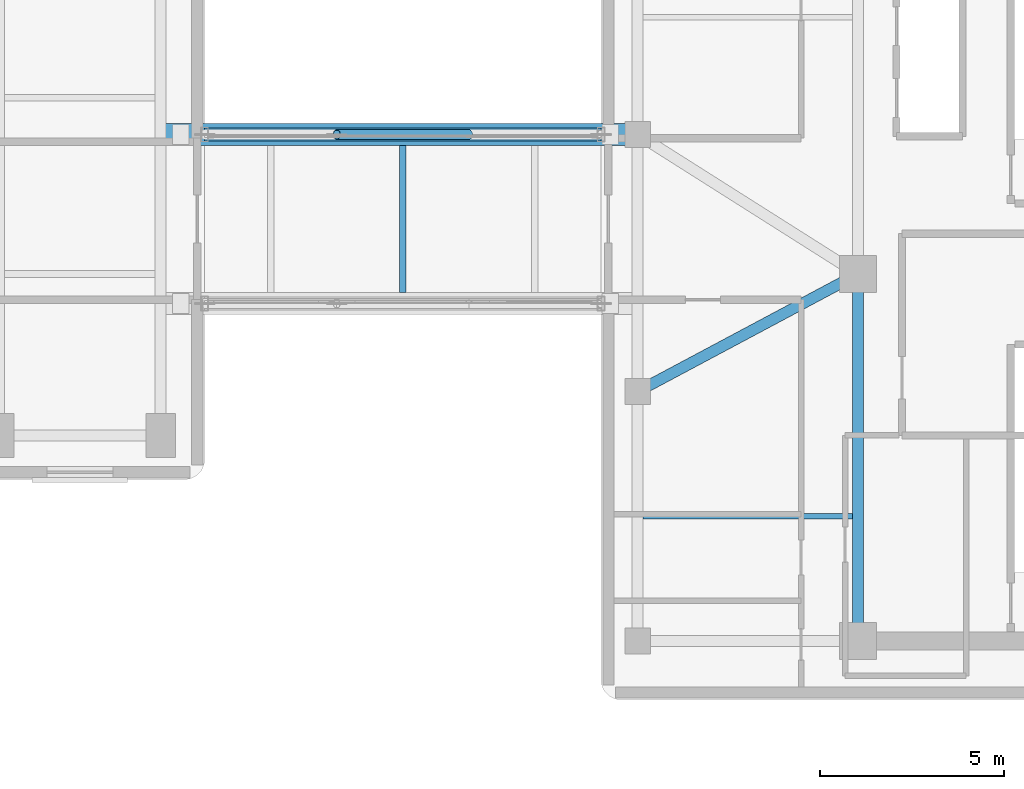
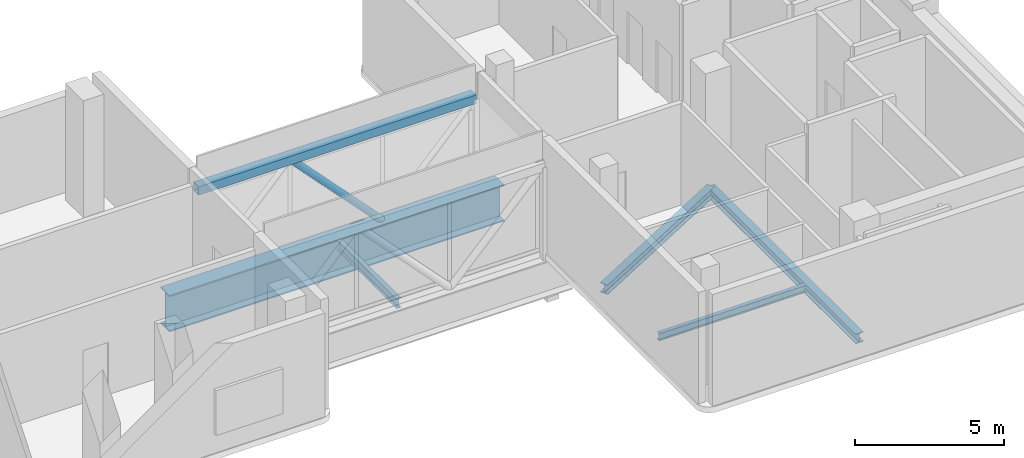
# One storey, part 7 of 17: 5 beams, 2 members.
"""IFC4 building model written with IfcOpenShell, lengths in metres."""

import ifcopenshell
import ifcopenshell.guid

model = None  # the IFC model being written
_history = None  # IfcOwnerHistory: only IFC2X3 demands one
_inside = {}  # id of a spatial element -> (the spatial element, [elements in it])
_under = {}  # id of a project, library or spatial element -> (it, [spatial elements below it])
_declared = {}  # id of a project -> (the project, [libraries it declares])
_typed = {}  # id of a type object -> (the type object, [elements of that type])
_made_of = {}  # id of a material, layer set ... -> (it, [elements and type objects made of it])


def new_model(schema):
    """Start an empty IFC model of exactly this schema.

    Asked for "IFC4X3", IfcOpenShell would pick the latest addendum, in which some entities
    have other attributes; the version numbers below select the first issue.
    IFC2X3 requires an IfcOwnerHistory on every rooted entity: one is made here for all.
    """
    global model, _history
    if schema == "IFC4X3":
        model = ifcopenshell.file(schema_version=(4, 3, 0, 0))
    else:
        model = ifcopenshell.file(schema=schema)
    _inside.clear()
    _under.clear()
    _declared.clear()
    _typed.clear()
    _made_of.clear()
    _history = None
    if model.schema == "IFC2X3":
        org = make("IfcOrganization", Name="unknown")
        user = make(
            "IfcPersonAndOrganization",
            ThePerson=make("IfcPerson", FamilyName="unknown"),
            TheOrganization=org,
        )
        app = make(
            "IfcApplication",
            ApplicationDeveloper=org,
            Version="unknown",
            ApplicationFullName="unknown",
            ApplicationIdentifier="unknown",
        )
        _history = make(
            "IfcOwnerHistory",
            OwningUser=user,
            OwningApplication=app,
            ChangeAction="ADDED",
            CreationDate=0,
        )
    return model


def make(cls, **values):
    """One entity of the class cls with the attributes given. An attribute that is None is left unset."""
    return model.create_entity(
        cls, **{name: value for name, value in values.items() if value is not None}
    )


def rooted(cls, **values):
    """An entity with a GlobalId (a new one), such as an element, a storey or a relation."""
    return make(cls, GlobalId=ifcopenshell.guid.new(), OwnerHistory=_history, **values)


def si_unit(unit_type, name, prefix=None):
    """IfcSIUnit, for example si_unit("LENGTHUNIT", "METRE", prefix="MILLI")."""
    return make("IfcSIUnit", UnitType=unit_type, Prefix=prefix, Name=name)


def assignment(units):
    """IfcUnitAssignment: the units of a project."""
    return None if units is None else make("IfcUnitAssignment", Units=units)


def point(xyz):
    """IfcCartesianPoint."""
    return None if xyz is None else make("IfcCartesianPoint", Coordinates=xyz)


def direction(xyz):
    """IfcDirection."""
    return None if xyz is None else make("IfcDirection", DirectionRatios=xyz)


def frame(location, z_axis=None, x_axis=None):
    """IfcAxis2Placement3D, a coordinate frame: its origin and axes. An axis left out is left unset."""
    return make(
        "IfcAxis2Placement3D",
        Location=point(location),
        Axis=direction(z_axis),
        RefDirection=direction(x_axis),
    )


def frame_2d(location, x_axis=None):
    """IfcAxis2Placement2D, a coordinate frame in the plane: its origin and x axis."""
    return make(
        "IfcAxis2Placement2D", Location=point(location), RefDirection=direction(x_axis)
    )


def origin():
    """The frame at (0, 0, 0) with its axes left unset."""
    return frame((0.0, 0.0, 0.0))


def origin_2d():
    """The frame at (0, 0) in the plane with its x axis left unset."""
    return frame_2d((0.0, 0.0))


def place(relative_to, where):
    """IfcLocalPlacement: puts the frame where relative to a parent placement (None: the world)."""
    return make(
        "IfcLocalPlacement", PlacementRelTo=relative_to, RelativePlacement=where
    )


def context(
    kind, dimensions, precision=None, world=None, true_north=None, identifier=None
):
    """IfcGeometricRepresentationContext, for example the 3D "Model" context."""
    return make(
        "IfcGeometricRepresentationContext",
        ContextIdentifier=identifier,
        ContextType=kind,
        CoordinateSpaceDimension=dimensions,
        Precision=precision,
        WorldCoordinateSystem=world,
        TrueNorth=true_north,
    )


def subcontext(parent, identifier, kind, view, scale=None):
    """IfcGeometricRepresentationSubContext, for example "Body" below "Model"."""
    return make(
        "IfcGeometricRepresentationSubContext",
        ContextIdentifier=identifier,
        ContextType=kind,
        ParentContext=parent,
        TargetScale=scale,
        TargetView=view,
    )


def project(units=None, contexts=None):
    """IfcProject with its units and contexts."""
    return rooted(
        "IfcProject",
        Name="project",
        RepresentationContexts=contexts,
        UnitsInContext=assignment(units),
    )


def spatial(cls, under=None, at=None, **own):
    """A site, building, storey or space (cls), placed at a placement, below another one or the project."""
    s = rooted(cls, ObjectPlacement=at, **own)
    if under is not None:
        _under.setdefault(under.id(), (under, []))[1].append(s)
    return s


def profile(cls, at=None, kind="AREA", **sizes):
    """A parametric profile (cls). Its sizes go by their IFC names, for example OverallWidth=200.0."""
    return make(cls, ProfileType=kind, Position=at, **sizes)


def hollow_rectangle(**sizes):
    """IfcRectangleHollowProfileDef."""
    return profile("IfcRectangleHollowProfileDef", **sizes)


def hollow_circle(**sizes):
    """IfcCircleHollowProfileDef."""
    return profile("IfcCircleHollowProfileDef", **sizes)


def i_section(**sizes):
    """IfcIShapeProfileDef."""
    return profile("IfcIShapeProfileDef", **sizes)


def extrude(swept, where, along, depth):
    """IfcExtrudedAreaSolid: the profile swept, set in the frame where, extruded along a direction by depth."""
    return make(
        "IfcExtrudedAreaSolid",
        SweptArea=swept,
        Position=where,
        ExtrudedDirection=direction(along),
        Depth=depth,
    )


def shape(context_of_items, identifier, shape_type, items):
    """IfcShapeRepresentation: the items that make up one representation, for example the "Body"."""
    return make(
        "IfcShapeRepresentation",
        ContextOfItems=context_of_items,
        RepresentationIdentifier=identifier,
        RepresentationType=shape_type,
        Items=items,
    )


def material(Name=None, Category=None):
    """IfcMaterial."""
    return make("IfcMaterial", Name=Name, Category=Category)


def material_profile(
    of_material, cross_section, Name=None, Category=None, Priority=None
):
    """IfcMaterialProfile: a cross section and its material."""
    return make(
        "IfcMaterialProfile",
        Name=Name,
        Material=of_material,
        Profile=cross_section,
        Priority=Priority,
        Category=Category,
    )


def profile_set(profiles, Name=None, composite=None):
    """IfcMaterialProfileSet."""
    return make(
        "IfcMaterialProfileSet",
        Name=Name,
        MaterialProfiles=profiles,
        CompositeProfile=composite,
    )


def made_of(thing, what):
    """Note that an element or type object is made of a material, layer set ...; save() writes the relation."""
    if what is not None:
        _made_of.setdefault(what.id(), (what, []))[1].append(thing)
    return thing


def type_object(cls, material=None, **own):
    """A type object (cls), such as IfcWallType, which elements share."""
    return made_of(rooted(cls, **own), material)


def element(
    cls,
    number,
    at=None,
    inside=None,
    cuts=None,
    type_object=None,
    material=None,
    context=None,
    identifier="Body",
    shape_type=None,
    held_by="IfcProductDefinitionShape",
    body=None,
    shapes=None,
    **own,
):
    """One element of the class cls, such as IfcWall. Its Tag is "e" and its number.

    at: its placement. inside: the storey or other place that contains it. cuts: it is an
    opening in that element (IfcRelVoidsElement). A single representation is given by context,
    identifier, shape_type and body (its items); several are given by shapes. held_by: the class
    of the entity that holds the representations. save() writes the other relations.
    """
    e = rooted(cls, Tag="e%d" % number, ObjectPlacement=at, **own)
    if body is not None:
        shapes = [shape(context, identifier, shape_type, body)]
    if shapes is not None:
        e.Representation = make(held_by, Representations=shapes)
    if inside is not None:
        _inside.setdefault(inside.id(), (inside, []))[1].append(e)
    if cuts is not None:
        rooted(
            "IfcRelVoidsElement", RelatingBuildingElement=cuts, RelatedOpeningElement=e
        )
    if type_object is not None:
        _typed.setdefault(type_object.id(), (type_object, []))[1].append(e)
    return made_of(e, material)


def aggregate(whole, parts):
    """IfcRelAggregates: a whole, such as a stair, and the parts it consists of."""
    return rooted("IfcRelAggregates", RelatingObject=whole, RelatedObjects=parts)


def save(model, path):
    """Write the relations noted so far, then the file.

    IfcRelAggregates (storeys below a building ...), IfcRelContainedInSpatialStructure (elements
    in a storey), IfcRelDefinesByType, IfcRelAssociatesMaterial and IfcRelDeclares: one each for
    every whole, place, type object, material and project.
    """
    for whole, parts in _under.values():
        aggregate(whole, parts)
    for where, things in _inside.values():
        rooted(
            "IfcRelContainedInSpatialStructure",
            RelatedElements=things,
            RelatingStructure=where,
        )
    for kind, things in _typed.values():
        rooted("IfcRelDefinesByType", RelatedObjects=things, RelatingType=kind)
    for what, things in _made_of.values():
        rooted("IfcRelAssociatesMaterial", RelatedObjects=things, RelatingMaterial=what)
    for by, libraries in _declared.values():
        rooted("IfcRelDeclares", RelatingContext=by, RelatedDefinitions=libraries)
    model.write(path)


model = new_model("IFC4")

# Units and contexts
model_context = context("Model", 3, precision=1e-05, world=origin(), true_north=direction((0.0, 1.0)))
body_context = subcontext(model_context, "Body", "Model", "MODEL_VIEW")
ifc_project = project(units=[si_unit("LENGTHUNIT", "METRE"), si_unit("AREAUNIT", "SQUARE_METRE"), si_unit("VOLUMEUNIT", "CUBIC_METRE"), si_unit("PLANEANGLEUNIT", "RADIAN"), si_unit("MASSUNIT", "GRAM", prefix="KILO")], contexts=[model_context])

# Site, building, storey
site_placement = place(None, origin())
site = spatial("IfcSite", under=ifc_project, at=site_placement, CompositionType="ELEMENT")
building_placement = place(site_placement, origin())
building = spatial("IfcBuilding", under=site, at=building_placement, Name="Kuzgunbayir Cultural Tower", CompositionType="ELEMENT")
storey_placement = place(building_placement, frame((0.0, 0.0, 102.60009765625)))
storey = spatial("IfcBuildingStorey", under=building, at=storey_placement, Name="L29", CompositionType="ELEMENT", Elevation=102.60009765625)

# Beams
ifc_material_1 = material(Name="Steel S355J2", Category="steel")
ifc_material_profile_1 = material_profile(ifc_material_1, i_section(OverallWidth=0.179931640625, OverallDepth=0.39990234375, WebThickness=0.008544921875, FlangeThickness=0.013427734375, FilletRadius=0.02099609375, at=origin_2d()), Name="IPE 400")
ifc_profile_set_1 = profile_set([ifc_material_profile_1], Name="Steel S355J2")
beam_type_1 = type_object("IfcBeamType", Name="BM-EXT-IPE400", PredefinedType="JOIST", material=ifc_profile_set_1)
beam_1_placement = place(storey_placement, frame((52.199951171875, 31.5, -0.440185546875), z_axis=(0.0, 1.0, 0.0), x_axis=(-1.0, 0.0, 0.0)))
element("IfcBeam", 1, at=beam_1_placement, inside=storey, type_object=beam_type_1, Name="L29 Skybridge Deck Cross Beam 2", PredefinedType="JOIST", context=body_context, shape_type="SweptSolid", body=[
    extrude(i_section(OverallWidth=0.179931640625, OverallDepth=0.39990234375, WebThickness=0.008544921875, FlangeThickness=0.013427734375, FilletRadius=0.02099609375, at=origin_2d()), origin(), (0.0, 0.0, 1.0), 4.0),
])
ifc_material_profile_2 = material_profile(ifc_material_1, i_section(OverallWidth=0.300048828125, OverallDepth=0.39990234375, WebThickness=0.013427734375, FlangeThickness=0.02392578125, FilletRadius=0.027099609375, at=origin_2d()), Name="HEB 400")
ifc_profile_set_2 = profile_set([ifc_material_profile_2], Name="Steel S355J2")
beam_type_2 = type_object("IfcBeamType", Name="BM-GIR-HEB400", PredefinedType="BEAM", material=ifc_profile_set_2)
beam_2_placement = place(storey_placement, frame((58.60009765625, 28.800048828125, -0.440185546875), z_axis=(0.882355922736, 0.470582644828, 0.0), x_axis=(-0.470582644828, 0.882355922736, 0.0)))
element("IfcBeam", 2, at=beam_2_placement, inside=storey, type_object=beam_type_2, Name="L29 Companion Transverse Girder 2", PredefinedType="BEAM", context=body_context, shape_type="SweptSolid", body=[
    extrude(i_section(OverallWidth=0.300048828125, OverallDepth=0.39990234375, WebThickness=0.013427734375, FlangeThickness=0.02392578125, FilletRadius=0.027099609375, at=origin_2d()), origin(), (0.0, 0.0, 1.0), 6.800048828125),
])
beam_3_placement = place(storey_placement, frame((64.60009765625, 22.0, -0.440185546875), z_axis=(0.0, 1.0, 0.0), x_axis=(-1.0, 0.0, 0.0)))
element("IfcBeam", 3, at=beam_3_placement, inside=storey, type_object=beam_type_2, Name="L29 Companion Core West Girder 1", PredefinedType="BEAM", context=body_context, shape_type="SweptSolid", body=[
    extrude(i_section(OverallWidth=0.300048828125, OverallDepth=0.39990234375, WebThickness=0.013427734375, FlangeThickness=0.02392578125, FilletRadius=0.027099609375, at=origin_2d()), origin(), (0.0, 0.0, 1.0), 10.0),
])
ifc_material_profile_3 = material_profile(ifc_material_1, i_section(OverallWidth=0.14990234375, OverallDepth=0.300048828125, WebThickness=0.007080078125, FlangeThickness=0.0107421875, FilletRadius=0.014892578125, at=origin_2d()), Name="IPE 300")
ifc_profile_set_3 = profile_set([ifc_material_profile_3], Name="Steel S355J2")
beam_type_3 = type_object("IfcBeamType", Name="BM-JST-IPE300", PredefinedType="JOIST", material=ifc_profile_set_3)
beam_4_placement = place(storey_placement, frame((58.75, 25.39990234375, -0.39013671875), z_axis=(1.0, 0.0, 0.0), x_axis=(0.0, 1.0, 0.0)))
element("IfcBeam", 4, at=beam_4_placement, inside=storey, type_object=beam_type_3, Name="L29 Companion Joist", PredefinedType="JOIST", context=body_context, shape_type="SweptSolid", body=[
    extrude(i_section(OverallWidth=0.14990234375, OverallDepth=0.300048828125, WebThickness=0.007080078125, FlangeThickness=0.0107421875, FilletRadius=0.014892578125, at=origin_2d()), origin(), (0.0, 0.0, 1.0), 5.699951171875),
])
ifc_material_2 = material(Name="Steel S460M", Category="steel")
ifc_material_profile_4 = material_profile(ifc_material_2, i_section(OverallWidth=0.60009765625, OverallDepth=1.5, WebThickness=0.030029296875, FlangeThickness=0.050048828125, at=origin_2d()), Name="PG 1500x600x30x50")
ifc_profile_set_4 = profile_set([ifc_material_profile_4], Name="Steel S460M")
beam_type_4 = type_object("IfcBeamType", Name="BM-SB-PG1500", PredefinedType="BEAM", material=ifc_profile_set_4)
beam_5_placement = place(storey_placement, frame((45.60009765625, 35.800048828125, -0.989990234375), z_axis=(1.0, 0.0, 0.0), x_axis=(0.0, 1.0, 0.0)))
element("IfcBeam", 5, at=beam_5_placement, inside=storey, type_object=beam_type_4, Name="L29 Skybridge Main Box-Plate Girder N", PredefinedType="BEAM", context=body_context, shape_type="SweptSolid", body=[
    extrude(i_section(OverallWidth=0.60009765625, OverallDepth=1.5, WebThickness=0.030029296875, FlangeThickness=0.050048828125, at=origin_2d()), origin(), (0.0, 0.0, 1.0), 13.0),
])

# Members
ifc_material_profile_5 = material_profile(ifc_material_2, hollow_rectangle(XDim=0.35009765625, YDim=0.35009765625, WallThickness=0.02001953125, at=origin_2d()), Name="SHS 350x350x20")
ifc_profile_set_5 = profile_set([ifc_material_profile_5], Name="Steel S460M")
member_type_1 = type_object("IfcMemberType", Name="MEM-CHD-SHS350-EXT", PredefinedType="CHORD", material=ifc_profile_set_5)
member_1_placement = place(storey_placement, frame((46.800048828125, 35.800048828125, 3.5498046875), z_axis=(1.0, 0.0, 0.0), x_axis=(0.0, 1.0, 0.0)))
element("IfcMember", 6, at=member_1_placement, inside=storey, type_object=member_type_1, Name="L29 Skybridge Top Truss Chord N", PredefinedType="CHORD", context=body_context, shape_type="SweptSolid", body=[
    extrude(hollow_rectangle(XDim=0.35009765625, YDim=0.35009765625, WallThickness=0.02001953125, at=origin_2d()), origin(), (0.0, 0.0, 1.0), 10.800048828125),
])
ifc_material_profile_6 = material_profile(ifc_material_2, hollow_circle(Radius=0.136474609375, WallThickness=0.012451171875, at=origin_2d()), Name="CHS 273x12.5")
ifc_profile_set_6 = profile_set([ifc_material_profile_6], Name="Steel S460M")
member_type_2 = type_object("IfcMemberType", Name="MEM-SBG-CHS273", PredefinedType="BRACE", material=ifc_profile_set_6)
member_2_placement = place(storey_placement, frame((50.39990234375, 35.800048828125, 3.5498046875), z_axis=(0.688728594239, 0.0, -0.725019257315), x_axis=(0.0, 1.0, 0.0)))
element("IfcMember", 7, at=member_2_placement, inside=storey, type_object=member_type_2, Name="L29 Skybridge Truss Diagonal N2", PredefinedType="BRACE", context=body_context, shape_type="SweptSolid", body=[
    extrude(hollow_circle(Radius=0.136474609375, WallThickness=0.012451171875, at=origin_2d()), origin(), (0.0, 0.0, 1.0), 5.22705078125),
])

save(model, "model.ifc")
